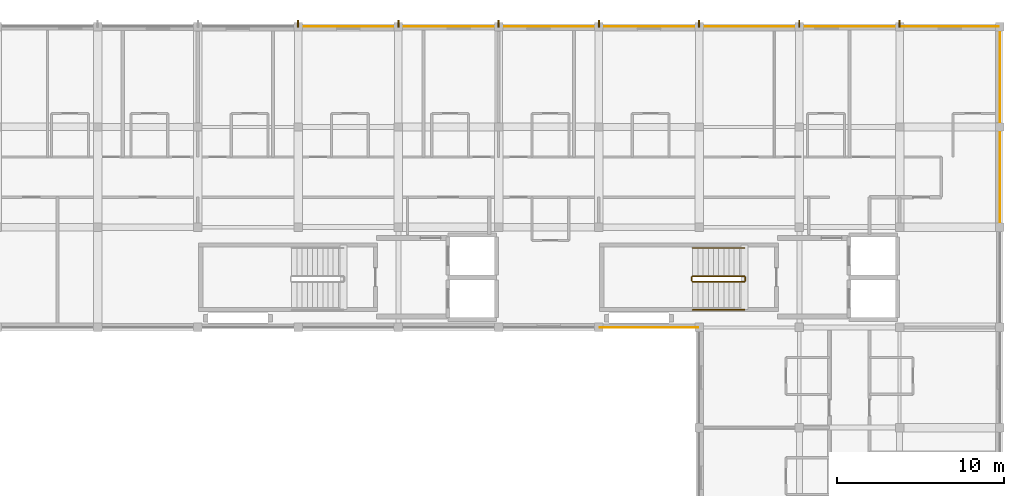
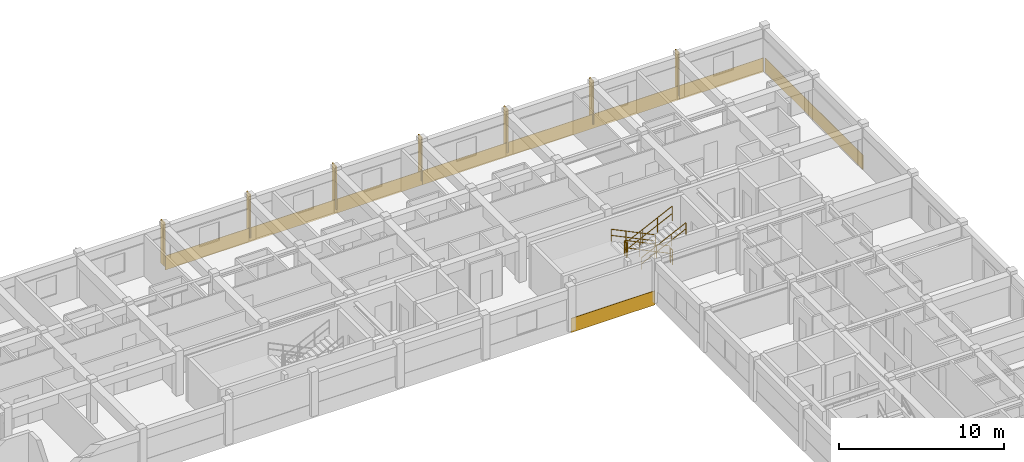
# One storey, part 15 of 15: 7 shading devices, 6 railings, 5 coverings.
"""IFC4 building model written with IfcOpenShell, lengths in metres."""

from ifc_helpers import new_model, si_unit, direction, frame, origin, origin_2d, place, context, subcontext, project, spatial, polyline, rectangle, circle, outline, extrude, material, layer, layer_set, type_object, element, save


model = new_model("IFC4")

# Units and contexts
model_context = context("Model", 3, precision=1e-05, world=origin(), true_north=direction((0.0, 1.0)))
body_context = subcontext(model_context, "Body", "Model", "MODEL_VIEW")
ifc_project = project(units=[si_unit("LENGTHUNIT", "METRE"), si_unit("AREAUNIT", "SQUARE_METRE"), si_unit("VOLUMEUNIT", "CUBIC_METRE"), si_unit("PLANEANGLEUNIT", "RADIAN"), si_unit("MASSUNIT", "GRAM", prefix="KILO"), si_unit("THERMODYNAMICTEMPERATUREUNIT", "KELVIN"), si_unit("POWERUNIT", "WATT")], contexts=[model_context])

# Site, building, storey
site_placement = place(None, origin())
site = spatial("IfcSite", under=ifc_project, at=site_placement, CompositionType="ELEMENT")
building_placement = place(site_placement, origin())
building = spatial("IfcBuilding", under=site, at=building_placement, Name="Phaisarnlok Congress Hotel", CompositionType="ELEMENT")
storey_placement = place(building_placement, frame((0.0, 0.0, 41.39990234375)))
storey = spatial("IfcBuildingStorey", under=building, at=storey_placement, Name="L10", CompositionType="ELEMENT", Elevation=41.39990234375)

# Coverings
ifc_material_1 = material(Name="Anodised Silver Aluminium Alloy 6063-T6", Category="aluminium")
ifc_layer_1 = layer(ifc_material_1, 0.031982421875, Name="Anodised Silver Aluminium Alloy 6063-T6")
ifc_layer_set_1 = layer_set([ifc_layer_1], Name="Anodised Silver Aluminium Alloy 6063-T6")
covering_type = type_object("IfcCoveringType", Name="COV-SPAND-ALU", PredefinedType="CLADDING", material=ifc_layer_set_1)
for number, where, z_axis, x_axis, name in (
    (1, (156.06005859375, 125.9951171875, -0.27978515625), (0.0, 1.0, 0.0), (-1.0, 0.0, 0.0), "Swiss minimalist anodised silver rainscreen band CL-02 (L10 N)"),
    (2, (174.06005859375, 125.9951171875, -0.27978515625), (0.0, 1.0, 0.0), (-1.0, 0.0, 0.0), "Swiss minimalist anodised silver rainscreen band CL-02 (L10 N)"),
):
    element("IfcCovering", number, at=place(storey_placement, frame(where, z_axis=z_axis, x_axis=x_axis)), inside=storey, type_object=covering_type, Name=name, PredefinedType="CLADDING", context=body_context, shape_type="SweptSolid", body=[
        extrude(outline(polyline([(0.0, 0.0), (18.0, 0.0), (18.0, 1.0498046875), (0.0, 1.0498046875), (0.0, 0.0)])), origin(), (0.0, 0.0, 1.0), 0.031982421875),
    ])
covering_1_placement = place(storey_placement, frame((179.93994140625, 125.9951171875, -0.27978515625), z_axis=(0.0, 1.0, 0.0), x_axis=(-1.0, 0.0, 0.0)))
element("IfcCovering", 3, at=covering_1_placement, inside=storey, type_object=covering_type, Name="Swiss minimalist anodised silver rainscreen band CL-02 (L10 N)", PredefinedType="CLADDING", context=body_context, shape_type="SweptSolid", body=[
    extrude(outline(polyline([(0.0, 0.0), (5.8798828125, 0.0), (5.8798828125, 1.0498046875), (0.0, 1.0498046875), (0.0, 0.0)])), origin(), (0.0, 0.0, 1.0), 0.031982421875),
])
covering_2_placement = place(storey_placement, frame((179.9951171875, 114.06005859375, -0.27978515625), z_axis=(1.0, 0.0, 0.0), x_axis=(0.0, 1.0, 0.0)))
element("IfcCovering", 4, at=covering_2_placement, inside=storey, type_object=covering_type, Name="Swiss minimalist anodised silver rainscreen band CL-02 (L10 E)", PredefinedType="CLADDING", context=body_context, shape_type="SweptSolid", body=[
    extrude(outline(polyline([(0.0, 0.0), (11.8798828125, 0.0), (11.8798828125, 1.0498046875), (0.0, 1.0498046875), (0.0, 0.0)])), origin(), (0.0, 0.0, 1.0), 0.031982421875),
])
covering_3_placement = place(storey_placement, frame((156.06005859375, 108.0048828125, -0.27978515625), z_axis=(0.0, -1.0, 0.0), x_axis=(1.0, 0.0, 0.0)))
element("IfcCovering", 5, at=covering_3_placement, inside=storey, type_object=covering_type, Name="Swiss minimalist anodised silver rainscreen band CL-02 (L10 S)", PredefinedType="CLADDING", context=body_context, shape_type="SweptSolid", body=[
    extrude(outline(polyline([(0.0, 0.0), (5.8798828125, 0.0), (5.8798828125, 1.0498046875), (0.0, 1.0498046875), (0.0, 0.0)])), origin(), (0.0, 0.0, 1.0), 0.031982421875),
])

# Railings
ifc_material_2 = material(Name="Painted Galvanised Steel S275", Category="steel")
railing_type_1 = type_object("IfcRailingType", Name="RLG-STR-GUARD", PredefinedType="BALUSTRADE", material=ifc_material_2)
railing_1_placement = place(storey_placement, frame((164.719970703125, 111.070068359375, 0.150146484375)))
element("IfcRailing", 6, at=railing_1_placement, inside=storey, type_object=railing_type_1, Name="L10 ST-05 stair guard 1", PredefinedType="BALUSTRADE", context=body_context, shape_type="SweptSolid", body=[
    extrude(circle(Radius=0.02392578125, at=origin_2d()), frame((0.0, 0.0, 1.076171875), z_axis=(-0.900151181449, 0.0, 0.435577605641), x_axis=(0.0, -1.0, 0.0)), (0.0, 0.0, 1.0), 3.443603515625),
    extrude(circle(Radius=0.02392578125, at=origin_2d()), frame((0.0, 0.0, 0.52587890625), z_axis=(-0.900151181449, 0.0, 0.435577605641), x_axis=(0.0, -1.0, 0.0)), (0.0, 0.0, 1.0), 3.443603515625),
    extrude(circle(Radius=0.02099609375, at=origin_2d()), origin(), (0.0, 0.0, 1.0), 1.052001953125),
    extrude(circle(Radius=0.02099609375, at=origin_2d()), frame((-1.033203125, 0.0, 0.5)), (0.0, 0.0, 1.0), 1.052001953125),
    extrude(circle(Radius=0.02099609375, at=origin_2d()), frame((-2.066650390625, 0.0, 1.0)), (0.0, 0.0, 1.0), 1.052001953125),
    extrude(circle(Radius=0.02099609375, at=origin_2d()), frame((-3.099853515625, 0.0, 1.5)), (0.0, 0.0, 1.0), 1.052001953125),
])
railing_2_placement = place(storey_placement, frame((161.570068359375, 111.02001953125, 1.650146484375)))
element("IfcRailing", 7, at=railing_2_placement, inside=storey, type_object=railing_type_1, Name="L10 ST-05 stair guard 2", PredefinedType="BALUSTRADE", context=body_context, shape_type="SweptSolid", body=[
    extrude(circle(Radius=0.02392578125, at=origin_2d()), frame((0.0, 0.0, 1.076171875), z_axis=(0.0, -1.0, 0.0), x_axis=(1.0, 0.0, 0.0)), (0.0, 0.0, 1.0), 0.239990234375),
    extrude(circle(Radius=0.02392578125, at=origin_2d()), frame((0.0, 0.0, 0.52587890625), z_axis=(0.0, -1.0, 0.0), x_axis=(1.0, 0.0, 0.0)), (0.0, 0.0, 1.0), 0.239990234375),
    extrude(circle(Radius=0.02099609375, at=origin_2d()), origin(), (0.0, 0.0, 1.0), 1.052001953125),
    extrude(circle(Radius=0.02099609375, at=origin_2d()), frame((0.0, -0.239990234375, 0.0)), (0.0, 0.0, 1.0), 1.052001953125),
])
railing_3_placement = place(storey_placement, frame((161.6201171875, 110.72998046875, 1.800048828125)))
element("IfcRailing", 8, at=railing_3_placement, inside=storey, type_object=railing_type_1, Name="L10 ST-05 stair guard 3", PredefinedType="BALUSTRADE", context=body_context, shape_type="SweptSolid", body=[
    extrude(circle(Radius=0.02392578125, at=origin_2d()), frame((0.0, 0.0, 1.076171875), z_axis=(0.900151181449, 0.0, 0.435577605641), x_axis=(0.0, 1.0, 0.0)), (0.0, 0.0, 1.0), 3.443603515625),
    extrude(circle(Radius=0.02392578125, at=origin_2d()), frame((0.0, 0.0, 0.52587890625), z_axis=(0.900151181449, 0.0, 0.435577605641), x_axis=(0.0, 1.0, 0.0)), (0.0, 0.0, 1.0), 3.443603515625),
    extrude(circle(Radius=0.02099609375, at=origin_2d()), origin(), (0.0, 0.0, 1.0), 1.052001953125),
    extrude(circle(Radius=0.02099609375, at=origin_2d()), frame((1.033203125, 0.0, 0.5)), (0.0, 0.0, 1.0), 1.052001953125),
    extrude(circle(Radius=0.02099609375, at=origin_2d()), frame((2.066650390625, 0.0, 1.0)), (0.0, 0.0, 1.0), 1.052001953125),
    extrude(circle(Radius=0.02099609375, at=origin_2d()), frame((3.099853515625, 0.0, 1.5)), (0.0, 0.0, 1.0), 1.052001953125),
])
railing_4_placement = place(storey_placement, frame((164.77001953125, 111.02001953125, 0.0)))
element("IfcRailing", 9, at=railing_4_placement, inside=storey, type_object=railing_type_1, Name="L10 ST-05 stair guard 4", PredefinedType="BALUSTRADE", context=body_context, shape_type="SweptSolid", body=[
    extrude(circle(Radius=0.02392578125, at=origin_2d()), frame((0.0, 0.0, 1.076171875), z_axis=(0.0, -1.0, 0.0), x_axis=(1.0, 0.0, 0.0)), (0.0, 0.0, 1.0), 0.239990234375),
    extrude(circle(Radius=0.02392578125, at=origin_2d()), frame((0.0, 0.0, 0.52587890625), z_axis=(0.0, -1.0, 0.0), x_axis=(1.0, 0.0, 0.0)), (0.0, 0.0, 1.0), 0.239990234375),
    extrude(circle(Radius=0.02099609375, at=origin_2d()), origin(), (0.0, 0.0, 1.0), 1.052001953125),
    extrude(circle(Radius=0.02099609375, at=origin_2d()), frame((0.0, -0.239990234375, 0.0)), (0.0, 0.0, 1.0), 1.052001953125),
])
ifc_material_3 = material(Name="Brushed Stainless Steel Grade 304", Category="steel")
railing_type_2 = type_object("IfcRailingType", Name="RLG-STR-HRAIL", PredefinedType="HANDRAIL", material=ifc_material_3)
railing_5_placement = place(storey_placement, frame((164.719970703125, 112.75, 0.150146484375)))
element("IfcRailing", 10, at=railing_5_placement, inside=storey, type_object=railing_type_2, Name="L10 ST-05 stair handrail 1", PredefinedType="HANDRAIL", context=body_context, shape_type="SweptSolid", body=[
    extrude(circle(Radius=0.02392578125, at=origin_2d()), frame((0.0, 0.0, 0.8759765625), z_axis=(-0.900151181449, 0.0, 0.435577605641), x_axis=(0.0, -1.0, 0.0)), (0.0, 0.0, 1.0), 3.443603515625),
    extrude(circle(Radius=0.02392578125, at=origin_2d()), frame((0.0, 0.0, 0.42578125), z_axis=(-0.900151181449, 0.0, 0.435577605641), x_axis=(0.0, -1.0, 0.0)), (0.0, 0.0, 1.0), 3.443603515625),
    extrude(circle(Radius=0.02099609375, at=origin_2d()), origin(), (0.0, 0.0, 1.0), 0.851806640625),
    extrude(circle(Radius=0.02099609375, at=origin_2d()), frame((-1.033203125, 0.0, 0.5)), (0.0, 0.0, 1.0), 0.851806640625),
    extrude(circle(Radius=0.02099609375, at=origin_2d()), frame((-2.066650390625, 0.0, 1.0)), (0.0, 0.0, 1.0), 0.851806640625),
    extrude(circle(Radius=0.02099609375, at=origin_2d()), frame((-3.099853515625, 0.0, 1.5)), (0.0, 0.0, 1.0), 0.851806640625),
])
railing_6_placement = place(storey_placement, frame((161.6201171875, 109.050048828125, 1.800048828125)))
element("IfcRailing", 11, at=railing_6_placement, inside=storey, type_object=railing_type_2, Name="L10 ST-05 stair handrail 2", PredefinedType="HANDRAIL", context=body_context, shape_type="SweptSolid", body=[
    extrude(circle(Radius=0.02392578125, at=origin_2d()), frame((0.0, 0.0, 0.8759765625), z_axis=(0.900151181449, 0.0, 0.435577605641), x_axis=(0.0, 1.0, 0.0)), (0.0, 0.0, 1.0), 3.443603515625),
    extrude(circle(Radius=0.02392578125, at=origin_2d()), frame((0.0, 0.0, 0.42578125), z_axis=(0.900151181449, 0.0, 0.435577605641), x_axis=(0.0, 1.0, 0.0)), (0.0, 0.0, 1.0), 3.443603515625),
    extrude(circle(Radius=0.02099609375, at=origin_2d()), origin(), (0.0, 0.0, 1.0), 0.851806640625),
    extrude(circle(Radius=0.02099609375, at=origin_2d()), frame((1.033203125, 0.0, 0.5)), (0.0, 0.0, 1.0), 0.851806640625),
    extrude(circle(Radius=0.02099609375, at=origin_2d()), frame((2.066650390625, 0.0, 1.0)), (0.0, 0.0, 1.0), 0.851806640625),
    extrude(circle(Radius=0.02099609375, at=origin_2d()), frame((3.099853515625, 0.0, 1.5)), (0.0, 0.0, 1.0), 0.851806640625),
])

# Shading devices
ifc_material_4 = material(Name="Anodised Champagne Aluminium Alloy 6063", Category="aluminium")
ifc_layer_2 = layer(ifc_material_4, 0.050048828125, Name="Anodised Champagne Aluminium Alloy 6063")
ifc_layer_set_2 = layer_set([ifc_layer_2], Name="Anodised Champagne Aluminium Alloy 6063")
shading_device_type = type_object("IfcShadingDeviceType", Name="SHD-FIN-VERT", PredefinedType="SHUTTER", material=ifc_layer_set_2)
for number, where, z_axis, x_axis, name in (
    (12, (138.0, 126.179931640625, 0.0400390625), (0.0, 0.0, 1.0), (1.0, 0.0, 0.0), "Hotel vertical solar fin SF-01 (L10)"),
    (13, (144.0, 126.179931640625, 0.0400390625), (0.0, 0.0, 1.0), (1.0, 0.0, 0.0), "Hotel vertical solar fin SF-01 (L10)"),
    (14, (150.0, 126.179931640625, 0.0400390625), (0.0, 0.0, 1.0), (1.0, 0.0, 0.0), "Hotel vertical solar fin SF-01 (L10)"),
    (15, (156.0, 126.179931640625, 0.0400390625), (0.0, 0.0, 1.0), (1.0, 0.0, 0.0), "Hotel vertical solar fin SF-01 (L10)"),
    (16, (162.0, 126.179931640625, 0.0400390625), (0.0, 0.0, 1.0), (1.0, 0.0, 0.0), "Hotel vertical solar fin SF-01 (L10)"),
    (17, (168.0, 126.179931640625, 0.0400390625), (0.0, 0.0, 1.0), (1.0, 0.0, 0.0), "Hotel vertical solar fin SF-01 (L10)"),
    (18, (174.0, 126.179931640625, 0.0400390625), (0.0, 0.0, 1.0), (1.0, 0.0, 0.0), "Hotel vertical solar fin SF-01 (L10)"),
):
    element("IfcShadingDevice", number, at=place(storey_placement, frame(where, z_axis=z_axis, x_axis=x_axis)), inside=storey, type_object=shading_device_type, Name=name, PredefinedType="SHUTTER", context=body_context, shape_type="SweptSolid", body=[
        extrude(rectangle(XDim=0.080078125, YDim=0.43994140625, at=origin_2d()), origin(), (0.0, 0.0, 1.0), 3.219970703125),
    ])

save(model, "model.ifc")
